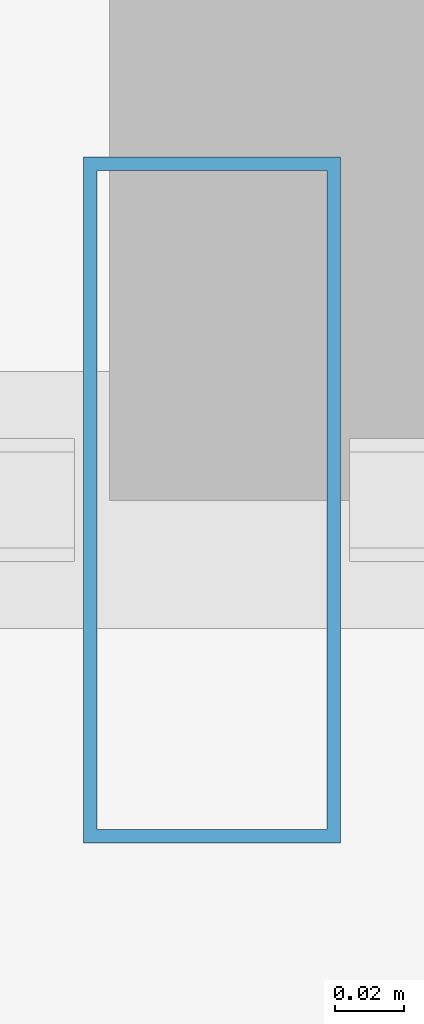
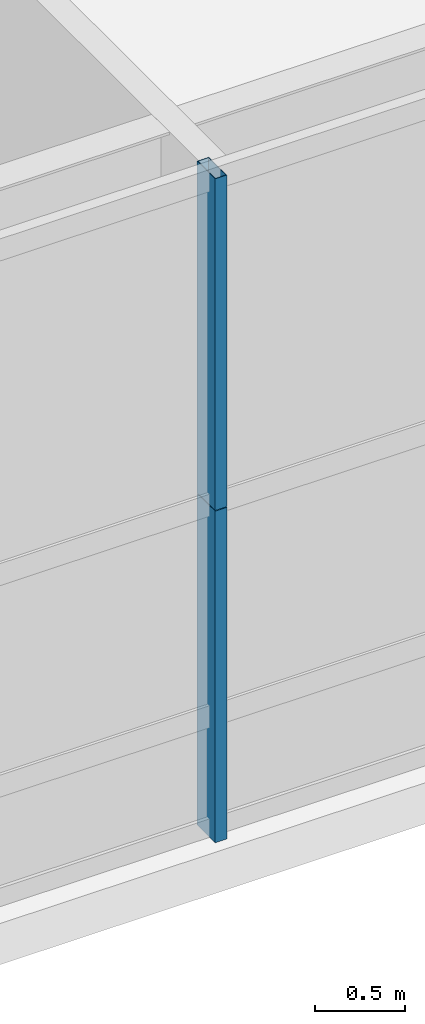
# One storey, part 7 of 39: 2 members, 1 element without a shape of its own.
"""IFC4 building model written with IfcOpenShell, lengths in metres."""

from ifc_helpers import new_model, si_unit, direction, frame, origin, origin_2d, place, context, subcontext, project, spatial, hollow_rectangle, extrude, source, transform, mapped, material, layer, layer_set, material_profile, profile_set, type_object, element, aggregate, save


model = new_model("IFC4")

# Units and contexts
model_context = context("Model", 3, precision=1e-05, world=origin(), true_north=direction((0.0, 1.0)))
body_context = subcontext(model_context, "Body", "Model", "MODEL_VIEW")
ifc_project = project(units=[si_unit("LENGTHUNIT", "METRE"), si_unit("AREAUNIT", "SQUARE_METRE"), si_unit("VOLUMEUNIT", "CUBIC_METRE"), si_unit("PLANEANGLEUNIT", "RADIAN"), si_unit("MASSUNIT", "GRAM", prefix="KILO"), si_unit("THERMODYNAMICTEMPERATUREUNIT", "KELVIN"), si_unit("POWERUNIT", "WATT")], contexts=[model_context])

# Site, building, storey
site_placement = place(None, origin())
site = spatial("IfcSite", under=ifc_project, at=site_placement, CompositionType="ELEMENT")
building_placement = place(site_placement, origin())
building = spatial("IfcBuilding", under=site, at=building_placement, Name="Yuzanri Waterfront Tower", CompositionType="ELEMENT")
storey_placement = place(building_placement, frame((0.0, 0.0, 15.0)))
storey = spatial("IfcBuildingStorey", under=building, at=storey_placement, Name="L04", CompositionType="ELEMENT", Elevation=15.0)

# Curtain wall, members
ifc_material_1 = material(Name="Anodized Architectural Bronze", Category="metal")
ifc_layer = layer(ifc_material_1, 0.159912109375)
ifc_layer_set = layer_set([ifc_layer], Name="Anodized Architectural Bronze")
curtain_wall_type = type_object("IfcCurtainWallType", Name="Anodized Bronze Podium Waterfront Double-Height Unitized Curtain Wall 8400", PredefinedType="NOTDEFINED", material=ifc_layer_set)
curtain_wall_placement = place(storey_placement, origin())
curtain_wall = element("IfcCurtainWall", 1, at=curtain_wall_placement, inside=storey, type_object=curtain_wall_type, Name="L04 Curtain Wall CW-L04-S1", PredefinedType="NOTDEFINED")
ifc_material_2 = material(Name="Anodized Architectural Bronze", Category="metal")
ifc_material_profile = material_profile(ifc_material_2, hollow_rectangle(XDim=0.074951171875, YDim=0.199951171875, WallThickness=0.00390625, at=origin_2d()), Name="CWM 75x200")
ifc_profile_set = profile_set([ifc_material_profile], Name="Anodized Architectural Bronze")
member_type = type_object("IfcMemberType", Name="Anodized Bronze Primary Curtain-Wall Mullion 75x200", PredefinedType="MULLION", material=ifc_profile_set)
shared_shape = source(origin(), body_context, "Body", "SweptSolid", [
    extrude(hollow_rectangle(XDim=0.074951171875, YDim=0.199951171875, WallThickness=0.00390625, at=origin_2d()), origin(), (0.0, 0.0, 1.0), 2.258056640625),
])
member_1_placement = place(storey_placement, frame((26.25, 1.97998046875, 0.0), z_axis=(0.0, 0.0, 1.0), x_axis=(1.0, 0.0, 0.0)))
member_1 = element("IfcMember", 2, at=member_1_placement, type_object=member_type, Name="CW-L04-S1 Lower Mullion 01", PredefinedType="MULLION", context=body_context, shape_type="MappedRepresentation", body=[
    mapped(shared_shape, transform((0.0, 0.0, 0.0), scale=1.0)),
])
member_2_placement = place(storey_placement, frame((26.25, 1.97998046875, 2.261962890625), z_axis=(0.0, 0.0, 1.0), x_axis=(1.0, 0.0, 0.0)))
member_2 = element("IfcMember", 3, at=member_2_placement, type_object=member_type, Name="CW-L04-S1 Upper Mullion 01", PredefinedType="MULLION", context=body_context, shape_type="MappedRepresentation", body=[
    mapped(shared_shape, transform((0.0, 0.0, 0.0), scale=1.0)),
])
aggregate(curtain_wall, [member_1, member_2])

save(model, "model.ifc")
